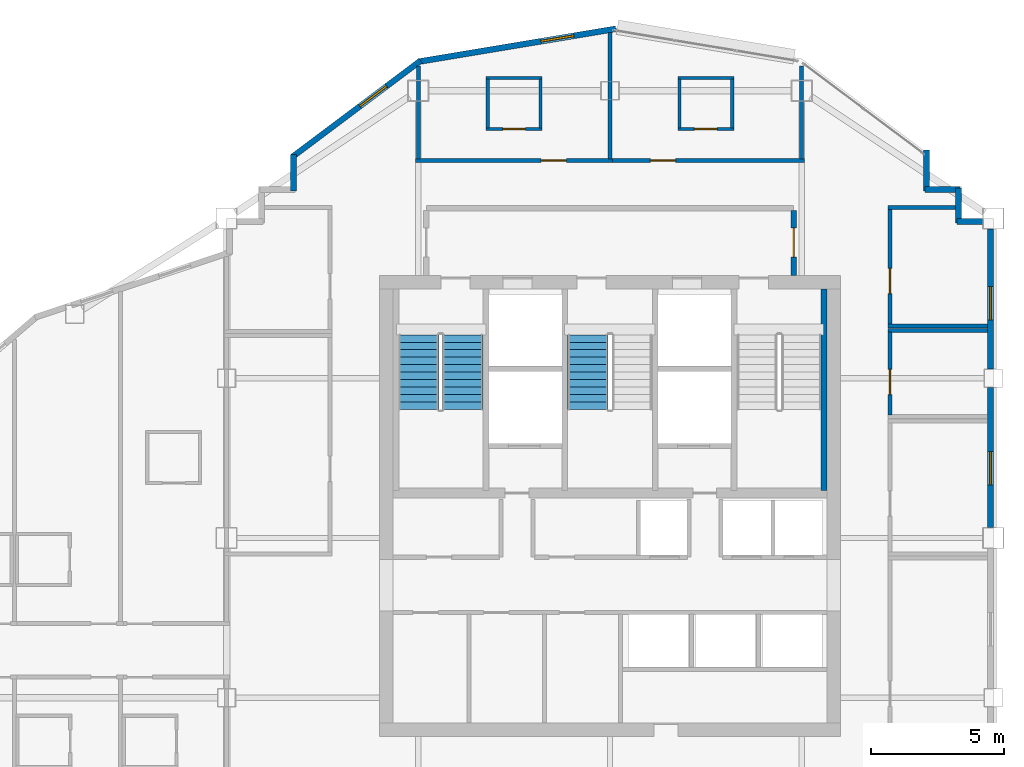
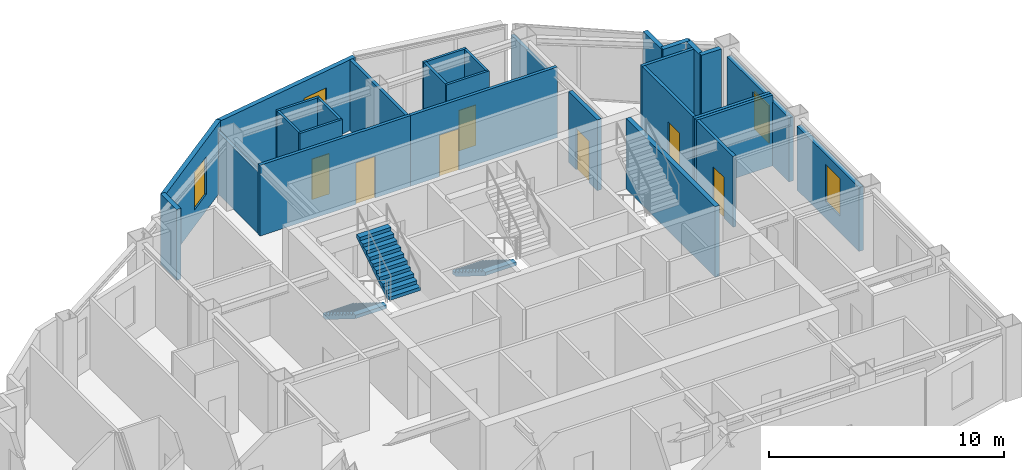
# One storey, part 8 of 11: 29 walls, 7 doors, 4 windows, 3 stair flights, 11 openings, 2 elements without a shape of their own.
"""IFC4 building model written with IfcOpenShell, lengths in metres."""

from ifc_helpers import new_model, si_unit, direction, frame, frame_2d, origin, place, context, subcontext, project, spatial, polyline, rectangle, outline, extrude, material, layer, layer_set, type_object, element, fill, aggregate, save


model = new_model("IFC4")

# Units and contexts
model_context = context("Model", 3, precision=1e-05, world=origin(), true_north=direction((0.0, 1.0)))
body_context = subcontext(model_context, "Body", "Model", "MODEL_VIEW")
ifc_project = project(units=[si_unit("LENGTHUNIT", "METRE"), si_unit("AREAUNIT", "SQUARE_METRE"), si_unit("VOLUMEUNIT", "CUBIC_METRE"), si_unit("PLANEANGLEUNIT", "RADIAN"), si_unit("MASSUNIT", "GRAM", prefix="KILO")], contexts=[model_context])

# Site, building, storey
site_placement = place(None, origin())
site = spatial("IfcSite", under=ifc_project, at=site_placement, CompositionType="ELEMENT")
building_placement = place(site_placement, origin())
building = spatial("IfcBuilding", under=site, at=building_placement, Name="Haolan Belvedere Tower", CompositionType="ELEMENT")
storey_placement = place(building_placement, frame((0.0, 0.0, 250.60009765625)))
storey = spatial("IfcBuildingStorey", under=building, at=storey_placement, Name="L63", CompositionType="ELEMENT", Elevation=250.60009765625)

# Wall, opening, window
ifc_material_1 = material(Name="Precast concrete C40/50", Category="concrete")
ifc_layer_1 = layer(ifc_material_1, 0.219970703125, Name="Precast concrete C40/50")
ifc_layer_set_1 = layer_set([ifc_layer_1], Name="Precast concrete C40/50")
wall_type_1 = type_object("IfcWallType", Name="WL-EXT-220", PredefinedType="SOLIDWALL", material=ifc_layer_set_1)
wall_1_placement = place(storey_placement, frame((52.68994140625, 33.991943359375, 0.0), z_axis=(0.0, 0.0, 1.0), x_axis=(0.0, 1.0, 0.0)))
wall_1 = element("IfcWall", 1, at=wall_1_placement, inside=storey, type_object=wall_type_1, Name="L63 pale-metal exterior spandrel wall 3.3", PredefinedType="SOLIDWALL", context=body_context, shape_type="SweptSolid", body=[
    extrude(rectangle(XDim=5.26611328125, YDim=0.219970703125, at=frame_2d((2.633056640625, 0.0))), origin(), (0.0, 0.0, 1.0), 3.31494140625),
])
opening_1_placement = place(wall_1_placement, frame((1.60009765625, 0.0, 0.85009765625)))
opening_1 = element("IfcOpeningElement", 2, at=opening_1_placement, cuts=wall_1, Name="Opening W-04", PredefinedType="OPENING", context=body_context, shape_type="SweptSolid", body=[
    extrude(rectangle(XDim=1.25, YDim=1.949951171875, at=frame_2d((0.625, 0.97509765625))), frame((0.0, 0.119873046875, 0.0), z_axis=(0.0, -1.0, 0.0), x_axis=(1.0, 0.0, 0.0)), (0.0, 0.0, 1.0), 0.239990234375),
])
ifc_material_2 = material(Name="Anodised aluminium 6063-T6 and Low-E glass", Category="aluminium")
window_type = type_object("IfcWindowType", Name="WN-DECO-Z4", PartitioningType="SINGLE_PANEL", PredefinedType="WINDOW", material=ifc_material_2)
window_1_placement = place(opening_1_placement, origin())
window_1 = element("IfcWindow", 3, at=window_1_placement, inside=storey, type_object=window_type, Name="L63 Art Deco chevron window 1", OverallHeight=1.949951171875, OverallWidth=1.25, PartitioningType="SINGLE_PANEL", PredefinedType="WINDOW", context=body_context, shape_type="SweptSolid", body=[
    extrude(rectangle(XDim=1.25, YDim=1.949951171875, at=frame_2d((0.625, 0.97509765625))), frame((0.0, 0.030029296875, 0.0), z_axis=(0.0, -1.0, 0.0), x_axis=(1.0, 0.0, 0.0)), (0.0, 0.0, 1.0), 0.06005859375),
])
fill(opening_1, window_1)

wall_2_placement = place(storey_placement, frame((52.68994140625, 39.94189453125, 0.0), z_axis=(0.0, 0.0, 1.0), x_axis=(0.0, 1.0, 0.0)))
wall_2 = element("IfcWall", 4, at=wall_2_placement, inside=storey, type_object=wall_type_1, Name="L63 pale-metal exterior spandrel wall 3.4", PredefinedType="SOLIDWALL", context=body_context, shape_type="SweptSolid", body=[
    extrude(rectangle(XDim=5.26611328125, YDim=0.219970703125, at=frame_2d((2.633056640625, 0.0))), origin(), (0.0, 0.0, 1.0), 3.31494140625),
])
opening_2_placement = place(wall_2_placement, frame((1.85302734375, 0.0, 0.85009765625)))
opening_2 = element("IfcOpeningElement", 5, at=opening_2_placement, cuts=wall_2, Name="Opening W-04", PredefinedType="OPENING", context=body_context, shape_type="SweptSolid", body=[
    extrude(rectangle(XDim=1.25, YDim=1.949951171875, at=frame_2d((0.625, 0.97509765625))), frame((0.0, 0.119873046875, 0.0), z_axis=(0.0, -1.0, 0.0), x_axis=(1.0, 0.0, 0.0)), (0.0, 0.0, 1.0), 0.239990234375),
])
window_2_placement = place(opening_2_placement, origin())
window_2 = element("IfcWindow", 6, at=window_2_placement, inside=storey, type_object=window_type, Name="L63 Art Deco chevron window 1", OverallHeight=1.949951171875, OverallWidth=1.25, PartitioningType="SINGLE_PANEL", PredefinedType="WINDOW", context=body_context, shape_type="SweptSolid", body=[
    extrude(rectangle(XDim=1.25, YDim=1.949951171875, at=frame_2d((0.625, 0.97509765625))), frame((0.0, 0.030029296875, 0.0), z_axis=(0.0, -1.0, 0.0), x_axis=(1.0, 0.0, 0.0)), (0.0, 0.0, 1.0), 0.06005859375),
])
fill(opening_2, window_2)

# Walls
wall_3_placement = place(storey_placement, frame((52.407958984375, 45.489990234375, 0.0), z_axis=(0.0, 0.0, 1.0), x_axis=(-1.0, 0.0, 0.0)))
element("IfcWall", 7, at=wall_3_placement, inside=storey, type_object=wall_type_1, Name="L63 pale-metal exterior spandrel wall 4.1", PredefinedType="SOLIDWALL", context=body_context, shape_type="SweptSolid", body=[
    extrude(rectangle(XDim=0.972900390625, YDim=0.219970703125, at=frame_2d((0.486328125, 0.0))), origin(), (0.0, 0.0, 1.0), 3.669921875),
])
wall_4_placement = place(storey_placement, frame((51.489990234375, 45.43505859375, 0.0), z_axis=(0.0, 0.0, 1.0), x_axis=(0.0, 1.0, 0.0)))
element("IfcWall", 8, at=wall_4_placement, inside=storey, type_object=wall_type_1, Name="L63 pale-metal exterior spandrel wall 5.1", PredefinedType="SOLIDWALL", context=body_context, shape_type="SweptSolid", body=[
    extrude(rectangle(XDim=1.31005859375, YDim=0.219970703125, at=frame_2d((0.655029296875, 0.0))), origin(), (0.0, 0.0, 1.0), 3.669921875),
])
wall_5_placement = place(storey_placement, frame((51.544921875, 46.68994140625, 0.0), z_axis=(0.0, 0.0, 1.0), x_axis=(-1.0, 0.0, 0.0)))
element("IfcWall", 9, at=wall_5_placement, inside=storey, type_object=wall_type_1, Name="L63 pale-metal exterior spandrel wall 6.1", PredefinedType="SOLIDWALL", context=body_context, shape_type="SweptSolid", body=[
    extrude(rectangle(XDim=1.309814453125, YDim=0.219970703125, at=frame_2d((0.65478515625, 0.0))), origin(), (0.0, 0.0, 1.0), 3.669921875),
])
wall_6_placement = place(storey_placement, frame((50.2900390625, 46.635009765625, 0.0), z_axis=(0.0, 0.0, 1.0), x_axis=(0.0, 1.0, 0.0)))
element("IfcWall", 10, at=wall_6_placement, inside=storey, type_object=wall_type_1, Name="L63 pale-metal exterior spandrel wall 7.1", PredefinedType="SOLIDWALL", context=body_context, shape_type="SweptSolid", body=[
    extrude(rectangle(XDim=1.534912109375, YDim=0.219970703125, at=frame_2d((0.767578125, 0.0))), origin(), (0.0, 0.0, 1.0), 3.669921875),
])

# Wall, opening, window
wall_7_placement = place(storey_placement, frame((38.621826171875, 52.7255859375, 0.0), z_axis=(0.0, 0.0, 1.0), x_axis=(-0.986390420428, -0.164420006349, 0.0)))
wall_7 = element("IfcWall", 11, at=wall_7_placement, inside=storey, type_object=wall_type_1, Name="L63 pale-metal exterior spandrel wall 10.1", PredefinedType="SOLIDWALL", context=body_context, shape_type="SweptSolid", body=[
    extrude(rectangle(XDim=7.5341796875, YDim=0.219970703125, at=frame_2d((3.76708984375, 0.0))), origin(), (0.0, 0.0, 1.0), 3.669921875),
])
opening_3_placement = place(wall_7_placement, frame((1.60009765625, 0.0, 0.85009765625)))
opening_3 = element("IfcOpeningElement", 12, at=opening_3_placement, cuts=wall_7, Name="Opening W-04", PredefinedType="OPENING", context=body_context, shape_type="SweptSolid", body=[
    extrude(rectangle(XDim=1.25, YDim=1.949951171875, at=frame_2d((0.625, 0.97509765625))), frame((0.0, 0.119873046875, 0.0), z_axis=(0.0, -1.0, 0.0), x_axis=(1.0, 0.0, 0.0)), (0.0, 0.0, 1.0), 0.239990234375),
])
window_3_placement = place(opening_3_placement, origin())
window_3 = element("IfcWindow", 13, at=window_3_placement, inside=storey, type_object=window_type, Name="L63 Art Deco chevron window 1", OverallHeight=1.949951171875, OverallWidth=1.25, PartitioningType="SINGLE_PANEL", PredefinedType="WINDOW", context=body_context, shape_type="SweptSolid", body=[
    extrude(rectangle(XDim=1.25, YDim=1.949951171875, at=frame_2d((0.625, 0.97509765625))), frame((0.0, 0.030029296875, 0.0), z_axis=(0.0, -1.0, 0.0), x_axis=(1.0, 0.0, 0.0)), (0.0, 0.0, 1.0), 0.06005859375),
])
fill(opening_3, window_3)

wall_8_placement = place(storey_placement, frame((31.28857421875, 51.52880859375, 0.0), z_axis=(0.0, 0.0, 1.0), x_axis=(-0.800014580093, -0.599980559383, 0.0)))
wall_8 = element("IfcWall", 14, at=wall_8_placement, inside=storey, type_object=wall_type_1, Name="L63 pale-metal exterior spandrel wall 11.1", PredefinedType="SOLIDWALL", context=body_context, shape_type="SweptSolid", body=[
    extrude(rectangle(XDim=6.028076171875, YDim=0.219970703125, at=frame_2d((3.01416015625, 0.0))), origin(), (0.0, 0.0, 1.0), 3.669921875),
])
opening_4_placement = place(wall_8_placement, frame((1.60009765625, 0.0, 0.85009765625)))
opening_4 = element("IfcOpeningElement", 15, at=opening_4_placement, cuts=wall_8, Name="Opening W-04", PredefinedType="OPENING", context=body_context, shape_type="SweptSolid", body=[
    extrude(rectangle(XDim=1.25, YDim=1.949951171875, at=frame_2d((0.625, 0.97509765625))), frame((0.0, 0.119873046875, 0.0), z_axis=(0.0, -1.0, 0.0), x_axis=(1.0, 0.0, 0.0)), (0.0, 0.0, 1.0), 0.239990234375),
])
window_4_placement = place(opening_4_placement, origin())
window_4 = element("IfcWindow", 16, at=window_4_placement, inside=storey, type_object=window_type, Name="L63 Art Deco chevron window 1", OverallHeight=1.949951171875, OverallWidth=1.25, PartitioningType="SINGLE_PANEL", PredefinedType="WINDOW", context=body_context, shape_type="SweptSolid", body=[
    extrude(rectangle(XDim=1.25, YDim=1.949951171875, at=frame_2d((0.625, 0.97509765625))), frame((0.0, 0.030029296875, 0.0), z_axis=(0.0, -1.0, 0.0), x_axis=(1.0, 0.0, 0.0)), (0.0, 0.0, 1.0), 0.06005859375),
])
fill(opening_4, window_4)

# Wall
wall_9_placement = place(storey_placement, frame((26.510009765625, 48.0, 0.0), z_axis=(0.0, 0.0, 1.0), x_axis=(0.0, -1.0, 0.0)))
element("IfcWall", 17, at=wall_9_placement, inside=storey, type_object=wall_type_1, Name="L63 pale-metal exterior spandrel wall 12.1", PredefinedType="SOLIDWALL", context=body_context, shape_type="SweptSolid", body=[
    extrude(rectangle(XDim=1.364990234375, YDim=0.219970703125, at=frame_2d((0.6826171875, 0.0))), origin(), (0.0, 0.0, 1.0), 3.669921875),
])

# Wall, opening, door
ifc_material_3 = material(Name="Concrete C40/50", Category="concrete")
ifc_layer_2 = layer(ifc_material_3, 0.199951171875, Name="Concrete C40/50")
ifc_layer_set_2 = layer_set([ifc_layer_2], Name="Concrete C40/50")
wall_type_2 = type_object("IfcWallType", Name="WL-FIRE-200", PredefinedType="SOLIDWALL", material=ifc_layer_set_2)
wall_10_placement = place(storey_placement, frame((45.300048828125, 43.449951171875, 0.0), z_axis=(0.0, 0.0, 1.0), x_axis=(0.0, 1.0, 0.0)))
wall_10 = element("IfcWall", 18, at=wall_10_placement, inside=storey, type_object=wall_type_2, Name="L63 interior partition IW-L63-FFL-E", PredefinedType="SOLIDWALL", context=body_context, shape_type="SweptSolid", body=[
    extrude(rectangle(XDim=2.445068359375, YDim=0.199951171875, at=frame_2d((1.22265625, 0.0))), origin(), (0.0, 0.0, 1.0), 3.669921875),
])
opening_5_placement = place(wall_10_placement, frame((0.699951171875, 0.0, 0.0)))
opening_5 = element("IfcOpeningElement", 19, at=opening_5_placement, cuts=wall_10, Name="Opening FD-03", PredefinedType="OPENING", context=body_context, shape_type="SweptSolid", body=[
    extrude(rectangle(XDim=1.10009765625, YDim=2.14990234375, at=frame_2d((0.550048828125, 1.074951171875))), frame((0.0, 0.10986328125, 0.0), z_axis=(0.0, -1.0, 0.0), x_axis=(1.0, 0.0, 0.0)), (0.0, 0.0, 1.0), 0.219970703125),
])
ifc_material_4 = material(Name="Galvanised fire-rated steel", Category="steel")
door_type_1 = type_object("IfcDoorType", Name="DR-FD90-1100", OperationType="NOTDEFINED", PredefinedType="DOOR", material=ifc_material_4)
door_1_placement = place(opening_5_placement, origin())
door_1 = element("IfcDoor", 20, at=door_1_placement, inside=storey, type_object=door_type_1, Name="L63 door ID-L63-FFL-DE", OperationType="SINGLE_SWING_RIGHT", OverallHeight=2.14990234375, OverallWidth=1.10009765625, PredefinedType="DOOR", context=body_context, shape_type="SweptSolid", body=[
    extrude(rectangle(XDim=1.10009765625, YDim=2.14990234375, at=frame_2d((0.550048828125, 1.074951171875))), frame((0.0, 0.02490234375, 0.0), z_axis=(0.0, -1.0, 0.0), x_axis=(1.0, 0.0, 0.0)), (0.0, 0.0, 1.0), 0.050048828125),
])
fill(opening_5, door_1)

# Wall
ifc_material_5 = material(Name="Double gypsum acoustic stud partition", Category="masonry")
ifc_layer_3 = layer(ifc_material_5, 0.14990234375, Name="Double gypsum acoustic stud partition")
ifc_layer_set_3 = layer_set([ifc_layer_3], Name="Double gypsum acoustic stud partition")
wall_type_3 = type_object("IfcWallType", Name="WL-PART-150", PredefinedType="PARTITIONING", material=ifc_layer_set_3)
wall_11_placement = place(storey_placement, frame((48.840087890625, 41.39990234375, 0.0), z_axis=(0.0, 0.0, 1.0), x_axis=(1.0, 0.0, 0.0)))
element("IfcWall", 21, at=wall_11_placement, inside=storey, type_object=wall_type_3, Name="L63 interior partition IW-L63-AWC-N", PredefinedType="PARTITIONING", context=body_context, shape_type="SweptSolid", body=[
    extrude(rectangle(XDim=3.747802734375, YDim=0.14990234375, at=frame_2d((1.8740234375, 0.0))), origin(), (0.0, 0.0, 1.0), 3.669921875),
])

# Wall, opening, door
wall_12_placement = place(storey_placement, frame((48.919921875, 38.219970703125, 0.0), z_axis=(0.0, 0.0, 1.0), x_axis=(0.0, 1.0, 0.0)))
wall_12 = element("IfcWall", 22, at=wall_12_placement, inside=storey, type_object=wall_type_3, Name="L63 interior partition IW-L63-AWC-W", PredefinedType="PARTITIONING", context=body_context, shape_type="SweptSolid", body=[
    extrude(rectangle(XDim=3.1201171875, YDim=0.14990234375, at=frame_2d((1.56005859375, 0.0))), origin(), (0.0, 0.0, 1.0), 3.669921875),
])
opening_6_placement = place(wall_12_placement, frame((0.760009765625, 0.0, 0.0)))
opening_6 = element("IfcOpeningElement", 23, at=opening_6_placement, cuts=wall_12, Name="Opening ID-03", PredefinedType="OPENING", context=body_context, shape_type="SweptSolid", body=[
    extrude(rectangle(XDim=0.949951171875, YDim=2.1201171875, at=frame_2d((0.47509765625, 1.06005859375))), frame((0.0, 0.0849609375, 0.0), z_axis=(0.0, -1.0, 0.0), x_axis=(1.0, 0.0, 0.0)), (0.0, 0.0, 1.0), 0.169921875),
])
ifc_material_6 = material(Name="Painted solid-core timber", Category="wood")
door_type_2 = type_object("IfcDoorType", Name="DR-INT-950", OperationType="NOTDEFINED", PredefinedType="DOOR", material=ifc_material_6)
door_2_placement = place(opening_6_placement, origin())
door_2 = element("IfcDoor", 24, at=door_2_placement, inside=storey, type_object=door_type_2, Name="L63 door ID-L63-AWC", OperationType="SINGLE_SWING_LEFT", OverallHeight=2.1201171875, OverallWidth=0.949951171875, PredefinedType="DOOR", context=body_context, shape_type="SweptSolid", body=[
    extrude(rectangle(XDim=0.949951171875, YDim=2.1201171875, at=frame_2d((0.47509765625, 1.06005859375))), frame((0.0, 0.02490234375, 0.0), z_axis=(0.0, -1.0, 0.0), x_axis=(1.0, 0.0, 0.0)), (0.0, 0.0, 1.0), 0.050048828125),
])
fill(opening_6, door_2)

# Walls
wall_13_placement = place(storey_placement, frame((48.840087890625, 46.02001953125, 0.0), z_axis=(0.0, 0.0, 1.0), x_axis=(1.0, 0.0, 0.0)))
element("IfcWall", 25, at=wall_13_placement, inside=storey, type_object=wall_type_3, Name="L63 interior partition IW-L63-CLN-N", PredefinedType="PARTITIONING", context=body_context, shape_type="SweptSolid", body=[
    extrude(rectangle(XDim=2.5478515625, YDim=0.14990234375, at=frame_2d((1.27392578125, 0.0))), origin(), (0.0, 0.0, 1.0), 3.669921875),
])
wall_14_placement = place(storey_placement, frame((48.840087890625, 41.56005859375, 0.0), z_axis=(0.0, 0.0, 1.0), x_axis=(1.0, 0.0, 0.0)))
element("IfcWall", 26, at=wall_14_placement, inside=storey, type_object=wall_type_3, Name="L63 interior partition IW-L63-CLN-S", PredefinedType="PARTITIONING", context=body_context, shape_type="SweptSolid", body=[
    extrude(rectangle(XDim=3.747802734375, YDim=0.14990234375, at=frame_2d((1.8740234375, 0.0))), origin(), (0.0, 0.0, 1.0), 3.669921875),
])

# Wall, opening, door
wall_15_placement = place(storey_placement, frame((48.919921875, 41.6201171875, 0.0), z_axis=(0.0, 0.0, 1.0), x_axis=(0.0, 1.0, 0.0)))
wall_15 = element("IfcWall", 27, at=wall_15_placement, inside=storey, type_object=wall_type_3, Name="L63 interior partition IW-L63-CLN-W", PredefinedType="PARTITIONING", context=body_context, shape_type="SweptSolid", body=[
    extrude(rectangle(XDim=4.33984375, YDim=0.14990234375, at=frame_2d((2.169921875, 0.0))), origin(), (0.0, 0.0, 1.0), 3.669921875),
])
opening_7_placement = place(wall_15_placement, frame((1.159912109375, 0.0, 0.0)))
opening_7 = element("IfcOpeningElement", 28, at=opening_7_placement, cuts=wall_15, Name="Opening ID-03", PredefinedType="OPENING", context=body_context, shape_type="SweptSolid", body=[
    extrude(rectangle(XDim=0.949951171875, YDim=2.1201171875, at=frame_2d((0.47509765625, 1.06005859375))), frame((0.0, 0.0849609375, 0.0), z_axis=(0.0, -1.0, 0.0), x_axis=(1.0, 0.0, 0.0)), (0.0, 0.0, 1.0), 0.169921875),
])
door_3_placement = place(opening_7_placement, origin())
door_3 = element("IfcDoor", 29, at=door_3_placement, inside=storey, type_object=door_type_2, Name="L63 door ID-L63-CLN", OperationType="SINGLE_SWING_RIGHT", OverallHeight=2.1201171875, OverallWidth=0.949951171875, PredefinedType="DOOR", context=body_context, shape_type="SweptSolid", body=[
    extrude(rectangle(XDim=0.949951171875, YDim=2.1201171875, at=frame_2d((0.47509765625, 1.06005859375))), frame((0.0, 0.02490234375, 0.0), z_axis=(0.0, -1.0, 0.0), x_axis=(1.0, 0.0, 0.0)), (0.0, 0.0, 1.0), 0.050048828125),
])
fill(opening_7, door_3)

wall_16_placement = place(storey_placement, frame((31.10009765625, 47.780029296875, 0.0), z_axis=(0.0, 0.0, 1.0), x_axis=(1.0, 0.0, 0.0)))
wall_16 = element("IfcWall", 30, at=wall_16_placement, inside=storey, type_object=wall_type_3, Name="L63 interior partition IW-L63-KN2-S", PredefinedType="PARTITIONING", context=body_context, shape_type="SweptSolid", body=[
    extrude(rectangle(XDim=7.39990234375, YDim=0.14990234375, at=frame_2d((3.699951171875, 0.0))), origin(), (0.0, 0.0, 1.0), 3.669921875),
])
opening_8_placement = place(wall_16_placement, frame((4.713623046875, 0.0, 0.0)))
opening_8 = element("IfcOpeningElement", 31, at=opening_8_placement, cuts=wall_16, Name="Opening ID-02", PredefinedType="OPENING", context=body_context, shape_type="SweptSolid", body=[
    extrude(rectangle(XDim=0.949951171875, YDim=2.14990234375, at=frame_2d((0.47509765625, 1.074951171875))), frame((0.0, 0.0849609375, 0.0), z_axis=(0.0, -1.0, 0.0), x_axis=(1.0, 0.0, 0.0)), (0.0, 0.0, 1.0), 0.169921875),
])
ifc_material_7 = material(Name="Acoustic oak veneer fire-rated timber", Category="wood")
door_type_3 = type_object("IfcDoorType", Name="DR-GUEST-950", OperationType="NOTDEFINED", PredefinedType="DOOR", material=ifc_material_7)
door_4_placement = place(opening_8_placement, origin())
door_4 = element("IfcDoor", 32, at=door_4_placement, inside=storey, type_object=door_type_3, Name="L63 door ID-L63-KN2-ENT", OperationType="SINGLE_SWING_LEFT", OverallHeight=2.14990234375, OverallWidth=0.949951171875, PredefinedType="DOOR", context=body_context, shape_type="SweptSolid", body=[
    extrude(rectangle(XDim=0.949951171875, YDim=2.14990234375, at=frame_2d((0.47509765625, 1.074951171875))), frame((0.0, 0.02490234375, 0.0), z_axis=(0.0, -1.0, 0.0), x_axis=(1.0, 0.0, 0.0)), (0.0, 0.0, 1.0), 0.050048828125),
])
fill(opening_8, door_4)

# Walls
wall_17_placement = place(storey_placement, frame((31.199951171875, 47.840087890625, 0.0), z_axis=(0.0, 0.0, 1.0), x_axis=(0.0, 1.0, 0.0)))
element("IfcWall", 33, at=wall_17_placement, inside=storey, type_object=wall_type_3, Name="L63 interior partition IW-L63-KN2-W", PredefinedType="PARTITIONING", context=body_context, shape_type="SweptSolid", body=[
    extrude(rectangle(XDim=3.494873046875, YDim=0.14990234375, at=frame_2d((1.74755859375, 0.0))), origin(), (0.0, 0.0, 1.0), 3.204833984375),
])
wall_18_placement = place(storey_placement, frame((38.39990234375, 47.840087890625, 0.0), z_axis=(0.0, 0.0, 1.0), x_axis=(0.0, 1.0, 0.0)))
element("IfcWall", 34, at=wall_18_placement, inside=storey, type_object=wall_type_3, Name="L63 interior partition IW-L63-KN2-E", PredefinedType="PARTITIONING", context=body_context, shape_type="SweptSolid", body=[
    extrude(rectangle(XDim=4.7451171875, YDim=0.14990234375, at=frame_2d((2.37255859375, 0.0))), origin(), (0.0, 0.0, 1.0), 3.669921875),
])

# Wall, opening, door
wall_19_placement = place(storey_placement, frame((38.501953125, 47.780029296875, 0.0), z_axis=(0.0, 0.0, 1.0), x_axis=(1.0, 0.0, 0.0)))
wall_19 = element("IfcWall", 35, at=wall_19_placement, inside=storey, type_object=wall_type_3, Name="L63 interior partition IW-L63-KN3-S", PredefinedType="PARTITIONING", context=body_context, shape_type="SweptSolid", body=[
    extrude(rectangle(XDim=7.197998046875, YDim=0.14990234375, at=frame_2d((3.59912109375, 0.0))), origin(), (0.0, 0.0, 1.0), 3.669921875),
])
opening_9_placement = place(wall_19_placement, frame((1.41748046875, 0.0, 0.0)))
opening_9 = element("IfcOpeningElement", 36, at=opening_9_placement, cuts=wall_19, Name="Opening ID-02", PredefinedType="OPENING", context=body_context, shape_type="SweptSolid", body=[
    extrude(rectangle(XDim=0.949951171875, YDim=2.14990234375, at=frame_2d((0.47509765625, 1.074951171875))), frame((0.0, 0.0849609375, 0.0), z_axis=(0.0, -1.0, 0.0), x_axis=(1.0, 0.0, 0.0)), (0.0, 0.0, 1.0), 0.169921875),
])
door_5_placement = place(opening_9_placement, origin())
door_5 = element("IfcDoor", 37, at=door_5_placement, inside=storey, type_object=door_type_3, Name="L63 door ID-L63-KN3-ENT", OperationType="SINGLE_SWING_RIGHT", OverallHeight=2.14990234375, OverallWidth=0.949951171875, PredefinedType="DOOR", context=body_context, shape_type="SweptSolid", body=[
    extrude(rectangle(XDim=0.949951171875, YDim=2.14990234375, at=frame_2d((0.47509765625, 1.074951171875))), frame((0.0, 0.02490234375, 0.0), z_axis=(0.0, -1.0, 0.0), x_axis=(1.0, 0.0, 0.0)), (0.0, 0.0, 1.0), 0.050048828125),
])
fill(opening_9, door_5)

# Walls
wall_20_placement = place(storey_placement, frame((45.60009765625, 47.840087890625, 0.0), z_axis=(0.0, 0.0, 1.0), x_axis=(0.0, 1.0, 0.0)))
element("IfcWall", 38, at=wall_20_placement, inside=storey, type_object=wall_type_3, Name="L63 interior partition IW-L63-KN3-E", PredefinedType="PARTITIONING", context=body_context, shape_type="SweptSolid", body=[
    extrude(rectangle(XDim=3.494873046875, YDim=0.14990234375, at=frame_2d((1.74755859375, 0.0))), origin(), (0.0, 0.0, 1.0), 3.204833984375),
])
ifc_material_8 = material(Name="Concrete C50/60", Category="concrete")
ifc_layer_4 = layer(ifc_material_8, 0.219970703125, Name="Concrete C50/60")
ifc_layer_set_4 = layer_set([ifc_layer_4], Name="Concrete C50/60")
wall_type_4 = type_object("IfcWallType", Name="WL-STAIR-220", PredefinedType="SHEAR", material=ifc_layer_set_4)
wall_21_placement = place(storey_placement, frame((46.43798828125, 35.389892578125, 0.0), z_axis=(0.0, 0.0, 1.0), x_axis=(0.0, 1.0, 0.0)))
element("IfcWall", 39, at=wall_21_placement, inside=storey, type_object=wall_type_4, Name="L63 structural stair core wall ST2E", PredefinedType="SHEAR", context=body_context, shape_type="SweptSolid", body=[
    extrude(rectangle(XDim=7.56005859375, YDim=0.219970703125, at=frame_2d((3.780029296875, 0.0))), origin(), (0.0, 0.0, 1.0), 3.669921875),
])
ifc_material_9 = material(Name="Moisture-resistant gypsum tile partition", Category="masonry")
ifc_layer_5 = layer(ifc_material_9, 0.1201171875, Name="Moisture-resistant gypsum tile partition")
ifc_layer_set_5 = layer_set([ifc_layer_5], Name="Moisture-resistant gypsum tile partition")
wall_type_5 = type_object("IfcWallType", Name="WL-WET-120", PredefinedType="PARTITIONING", material=ifc_layer_set_5)
wall_22_placement = place(storey_placement, frame((33.75, 50.8798828125, 0.0), z_axis=(0.0, 0.0, 1.0), x_axis=(1.0, 0.0, 0.0)))
element("IfcWall", 40, at=wall_22_placement, inside=storey, type_object=wall_type_5, Name="L63 interior partition IW-L63-KN2-BN", PredefinedType="PARTITIONING", context=body_context, shape_type="SweptSolid", body=[
    extrude(rectangle(XDim=2.10009765625, YDim=0.1201171875, at=frame_2d((1.050048828125, 0.0))), origin(), (0.0, 0.0, 1.0), 3.669921875),
])

# Wall, opening, door
wall_23_placement = place(storey_placement, frame((33.75, 48.9599609375, 0.0), z_axis=(0.0, 0.0, 1.0), x_axis=(1.0, 0.0, 0.0)))
wall_23 = element("IfcWall", 41, at=wall_23_placement, inside=storey, type_object=wall_type_5, Name="L63 interior partition IW-L63-KN2-BS", PredefinedType="PARTITIONING", context=body_context, shape_type="SweptSolid", body=[
    extrude(rectangle(XDim=2.10009765625, YDim=0.1201171875, at=frame_2d((1.050048828125, 0.0))), origin(), (0.0, 0.0, 1.0), 3.669921875),
])
opening_10_placement = place(wall_23_placement, frame((0.625, 0.0, 0.0)))
opening_10 = element("IfcOpeningElement", 42, at=opening_10_placement, cuts=wall_23, Name="Opening ID-05", PredefinedType="OPENING", context=body_context, shape_type="SweptSolid", body=[
    extrude(rectangle(XDim=0.85009765625, YDim=2.10009765625, at=frame_2d((0.425048828125, 1.050048828125))), frame((0.0, 0.070068359375, 0.0), z_axis=(0.0, -1.0, 0.0), x_axis=(1.0, 0.0, 0.0)), (0.0, 0.0, 1.0), 0.14013671875),
])
ifc_material_10 = material(Name="Moisture-resistant lacquered timber", Category="wood")
door_type_4 = type_object("IfcDoorType", Name="DR-BATH-850", OperationType="NOTDEFINED", PredefinedType="DOOR", material=ifc_material_10)
door_6_placement = place(opening_10_placement, origin())
door_6 = element("IfcDoor", 43, at=door_6_placement, inside=storey, type_object=door_type_4, Name="L63 door ID-L63-KN2-BATH", OperationType="SINGLE_SWING_RIGHT", OverallHeight=2.10009765625, OverallWidth=0.85009765625, PredefinedType="DOOR", context=body_context, shape_type="SweptSolid", body=[
    extrude(rectangle(XDim=0.85009765625, YDim=2.10009765625, at=frame_2d((0.425048828125, 1.050048828125))), frame((0.0, 0.02490234375, 0.0), z_axis=(0.0, -1.0, 0.0), x_axis=(1.0, 0.0, 0.0)), (0.0, 0.0, 1.0), 0.050048828125),
])
fill(opening_10, door_6)

# Walls
for number, where, z_axis, x_axis, name in (
    (44, (33.81005859375, 49.0048828125, 0.0), (0.0, 0.0, 1.0), (0.0, 1.0, 0.0), "L63 interior partition IW-L63-KN2-BW"),
    (45, (35.7900390625, 49.0048828125, 0.0), (0.0, 0.0, 1.0), (0.0, 1.0, 0.0), "L63 interior partition IW-L63-KN2-BE"),
):
    element("IfcWall", number, at=place(storey_placement, frame(where, z_axis=z_axis, x_axis=x_axis)), inside=storey, type_object=wall_type_5, Name=name, PredefinedType="PARTITIONING", context=body_context, shape_type="SweptSolid", body=[
        extrude(rectangle(XDim=1.830078125, YDim=0.1201171875, at=frame_2d((0.9150390625, 0.0))), origin(), (0.0, 0.0, 1.0), 3.669921875),
    ])
wall_24_placement = place(storey_placement, frame((40.949951171875, 50.8798828125, 0.0), z_axis=(0.0, 0.0, 1.0), x_axis=(1.0, 0.0, 0.0)))
element("IfcWall", 46, at=wall_24_placement, inside=storey, type_object=wall_type_5, Name="L63 interior partition IW-L63-KN3-BN", PredefinedType="PARTITIONING", context=body_context, shape_type="SweptSolid", body=[
    extrude(rectangle(XDim=2.10009765625, YDim=0.1201171875, at=frame_2d((1.050048828125, 0.0))), origin(), (0.0, 0.0, 1.0), 3.669921875),
])

# Wall, opening, door
wall_25_placement = place(storey_placement, frame((40.949951171875, 48.9599609375, 0.0), z_axis=(0.0, 0.0, 1.0), x_axis=(1.0, 0.0, 0.0)))
wall_25 = element("IfcWall", 47, at=wall_25_placement, inside=storey, type_object=wall_type_5, Name="L63 interior partition IW-L63-KN3-BS", PredefinedType="PARTITIONING", context=body_context, shape_type="SweptSolid", body=[
    extrude(rectangle(XDim=2.10009765625, YDim=0.1201171875, at=frame_2d((1.050048828125, 0.0))), origin(), (0.0, 0.0, 1.0), 3.669921875),
])
opening_11_placement = place(wall_25_placement, frame((0.625, 0.0, 0.0)))
opening_11 = element("IfcOpeningElement", 48, at=opening_11_placement, cuts=wall_25, Name="Opening ID-05", PredefinedType="OPENING", context=body_context, shape_type="SweptSolid", body=[
    extrude(rectangle(XDim=0.85009765625, YDim=2.10009765625, at=frame_2d((0.425048828125, 1.050048828125))), frame((0.0, 0.070068359375, 0.0), z_axis=(0.0, -1.0, 0.0), x_axis=(1.0, 0.0, 0.0)), (0.0, 0.0, 1.0), 0.14013671875),
])
door_7_placement = place(opening_11_placement, origin())
door_7 = element("IfcDoor", 49, at=door_7_placement, inside=storey, type_object=door_type_4, Name="L63 door ID-L63-KN3-BATH", OperationType="SINGLE_SWING_LEFT", OverallHeight=2.10009765625, OverallWidth=0.85009765625, PredefinedType="DOOR", context=body_context, shape_type="SweptSolid", body=[
    extrude(rectangle(XDim=0.85009765625, YDim=2.10009765625, at=frame_2d((0.425048828125, 1.050048828125))), frame((0.0, 0.02490234375, 0.0), z_axis=(0.0, -1.0, 0.0), x_axis=(1.0, 0.0, 0.0)), (0.0, 0.0, 1.0), 0.050048828125),
])
fill(opening_11, door_7)

# Walls
for number, where, z_axis, x_axis, name in (
    (50, (41.010009765625, 49.0048828125, 0.0), (0.0, 0.0, 1.0), (0.0, 1.0, 0.0), "L63 interior partition IW-L63-KN3-BW"),
    (51, (42.989990234375, 49.0048828125, 0.0), (0.0, 0.0, 1.0), (0.0, 1.0, 0.0), "L63 interior partition IW-L63-KN3-BE"),
):
    element("IfcWall", number, at=place(storey_placement, frame(where, z_axis=z_axis, x_axis=x_axis)), inside=storey, type_object=wall_type_5, Name=name, PredefinedType="PARTITIONING", context=body_context, shape_type="SweptSolid", body=[
        extrude(rectangle(XDim=1.830078125, YDim=0.1201171875, at=frame_2d((0.9150390625, 0.0))), origin(), (0.0, 0.0, 1.0), 3.669921875),
    ])

# Stair, stair flights
stair_type = type_object("IfcStairType", Name="STR-DL-22R-175", PredefinedType="HALF_TURN_STAIR", material=ifc_material_3)
stair_1_placement = place(storey_placement, origin())
stair_1 = element("IfcStair", 52, at=stair_1_placement, inside=storey, type_object=stair_type, Name="L63 Smokeproof Core Exit Stair ST1", PredefinedType="HALF_TURN_STAIR")
stair_flight_type = type_object("IfcStairFlightType", Name="SFL-DL-11R-175", PredefinedType="STRAIGHT", material=ifc_material_3)
stair_flight_1_placement = place(storey_placement, frame((31.2099609375, 41.22998046875, 0.0), z_axis=(0.0, 0.0, 1.0), x_axis=(0.0, -1.0, 0.0)))
stair_flight_1 = element("IfcStairFlight", 53, at=stair_flight_1_placement, type_object=stair_flight_type, Name="ST1 flight 1", NumberOfRisers=11, NumberOfTreads=10, PredefinedType="STRAIGHT", RiserHeight=0.175, TreadLength=0.28, context=body_context, shape_type="SweptSolid", body=[
    extrude(outline(polyline([(0.0, 0.0), (0.0, 0.175048828125), (0.280029296875, 0.175048828125), (0.280029296875, 0.35009765625), (0.56005859375, 0.35009765625), (0.56005859375, 0.52490234375), (0.840087890625, 0.52490234375), (0.840087890625, 0.699951171875), (1.1201171875, 0.699951171875), (1.1201171875, 0.875), (1.39990234375, 0.875), (1.39990234375, 1.050048828125), (1.679931640625, 1.050048828125), (1.679931640625, 1.22509765625), (1.9599609375, 1.22509765625), (1.9599609375, 1.39990234375), (2.239990234375, 1.39990234375), (2.239990234375, 1.574951171875), (2.52001953125, 1.574951171875), (2.52001953125, 1.75), (2.800048828125, 1.75), (2.800048828125, 1.925048828125), (2.800048828125, 1.5732421875), (0.28271484375, 0.0), (0.0, 0.0)])), frame((0.0, 0.760009765625, 0.0), z_axis=(0.0, -1.0, 0.0), x_axis=(1.0, 0.0, 0.0)), (0.0, 0.0, 1.0), 1.52001953125),
])
stair_flight_2_placement = place(storey_placement, frame((32.8701171875, 38.429931640625, 1.9248046875), z_axis=(0.0, 0.0, 1.0), x_axis=(0.0, 1.0, 0.0)))
stair_flight_2 = element("IfcStairFlight", 54, at=stair_flight_2_placement, type_object=stair_flight_type, Name="ST1 flight 2", NumberOfRisers=11, NumberOfTreads=10, PredefinedType="STRAIGHT", RiserHeight=0.175, TreadLength=0.28, context=body_context, shape_type="SweptSolid", body=[
    extrude(outline(polyline([(0.0, 0.0), (0.0, 0.175048828125), (0.280029296875, 0.175048828125), (0.280029296875, 0.35009765625), (0.56005859375, 0.35009765625), (0.56005859375, 0.52490234375), (0.840087890625, 0.52490234375), (0.840087890625, 0.699951171875), (1.1201171875, 0.699951171875), (1.1201171875, 0.875), (1.39990234375, 0.875), (1.39990234375, 1.050048828125), (1.679931640625, 1.050048828125), (1.679931640625, 1.22509765625), (1.9599609375, 1.22509765625), (1.9599609375, 1.39990234375), (2.239990234375, 1.39990234375), (2.239990234375, 1.574951171875), (2.52001953125, 1.574951171875), (2.52001953125, 1.75), (2.800048828125, 1.75), (2.800048828125, 1.925048828125), (2.800048828125, 1.5732421875), (0.28271484375, 0.0), (0.0, 0.0)])), frame((0.0, 0.760009765625, 0.0), z_axis=(0.0, -1.0, 0.0), x_axis=(1.0, 0.0, 0.0)), (0.0, 0.0, 1.0), 1.52001953125),
])
aggregate(stair_1, [stair_flight_1, stair_flight_2])

# Stair, stair flight
stair_2_placement = place(storey_placement, origin())
stair_2 = element("IfcStair", 55, at=stair_2_placement, inside=storey, type_object=stair_type, Name="L63 Smokeproof Core Exit Stair ST3", PredefinedType="HALF_TURN_STAIR")
stair_flight_3_placement = place(storey_placement, frame((37.570068359375, 41.22998046875, 0.0), z_axis=(0.0, 0.0, 1.0), x_axis=(0.0, -1.0, 0.0)))
stair_flight_3 = element("IfcStairFlight", 56, at=stair_flight_3_placement, type_object=stair_flight_type, Name="ST3 flight 1", NumberOfRisers=11, NumberOfTreads=10, PredefinedType="STRAIGHT", RiserHeight=0.175, TreadLength=0.28, context=body_context, shape_type="SweptSolid", body=[
    extrude(outline(polyline([(0.0, 0.0), (0.0, 0.175048828125), (0.280029296875, 0.175048828125), (0.280029296875, 0.35009765625), (0.56005859375, 0.35009765625), (0.56005859375, 0.52490234375), (0.840087890625, 0.52490234375), (0.840087890625, 0.699951171875), (1.1201171875, 0.699951171875), (1.1201171875, 0.875), (1.39990234375, 0.875), (1.39990234375, 1.050048828125), (1.679931640625, 1.050048828125), (1.679931640625, 1.22509765625), (1.9599609375, 1.22509765625), (1.9599609375, 1.39990234375), (2.239990234375, 1.39990234375), (2.239990234375, 1.574951171875), (2.52001953125, 1.574951171875), (2.52001953125, 1.75), (2.800048828125, 1.75), (2.800048828125, 1.925048828125), (2.800048828125, 1.5732421875), (0.28271484375, 0.0), (0.0, 0.0)])), frame((0.0, 0.760009765625, 0.0), z_axis=(0.0, -1.0, 0.0), x_axis=(1.0, 0.0, 0.0)), (0.0, 0.0, 1.0), 1.52001953125),
])
aggregate(stair_2, [stair_flight_3])

save(model, "model.ifc")
